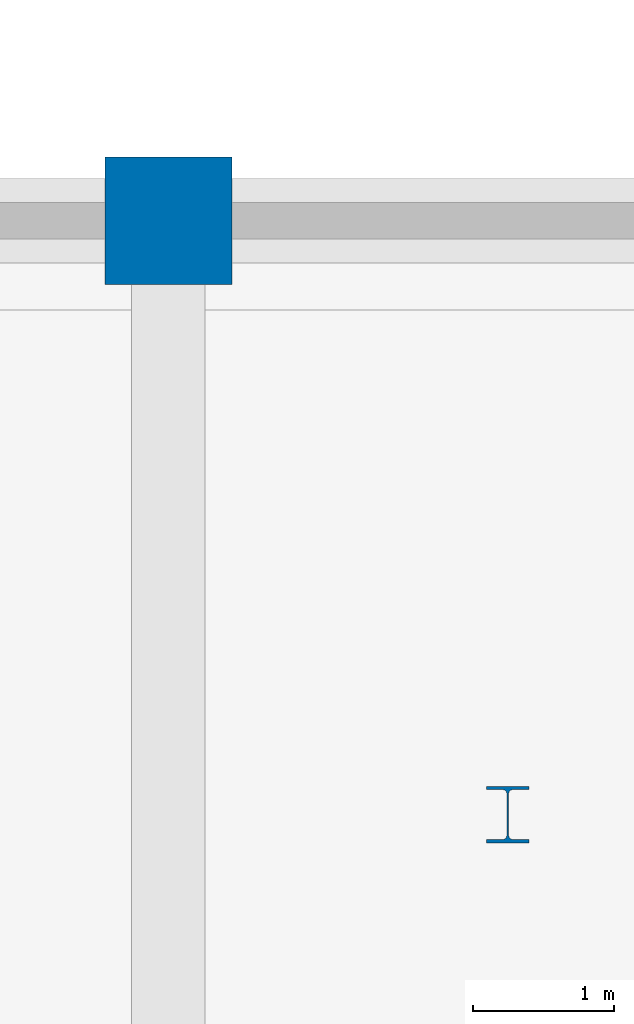
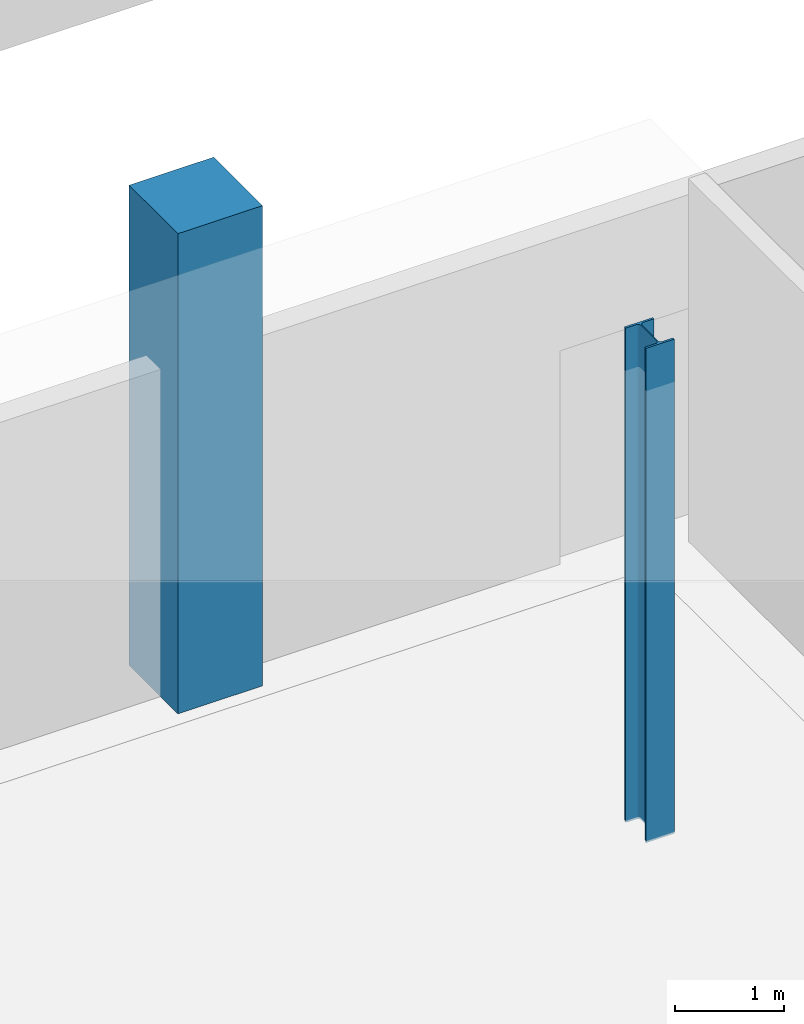
# One storey, part 15 of 124: 2 columns.
"""IFC4 building model written with IfcOpenShell, lengths in metres."""

from ifc_helpers import new_model, si_unit, direction, frame, origin, origin_2d, place, context, subcontext, project, spatial, rectangle, i_section, extrude, material, material_profile, profile_set, type_object, element, save


model = new_model("IFC4")

# Units and contexts
model_context = context("Model", 3, precision=1e-05, world=origin(), true_north=direction((0.0, 1.0)))
body_context = subcontext(model_context, "Body", "Model", "MODEL_VIEW")
ifc_project = project(units=[si_unit("LENGTHUNIT", "METRE"), si_unit("AREAUNIT", "SQUARE_METRE"), si_unit("VOLUMEUNIT", "CUBIC_METRE"), si_unit("PLANEANGLEUNIT", "RADIAN"), si_unit("MASSUNIT", "GRAM", prefix="KILO")], contexts=[model_context])

# Site, building, storey
site_placement = place(None, origin())
site = spatial("IfcSite", under=ifc_project, at=site_placement, CompositionType="ELEMENT")
building_placement = place(site_placement, origin())
building = spatial("IfcBuilding", under=site, at=building_placement, Name="Brelvane Convention Centre", CompositionType="ELEMENT")
storey_placement = place(building_placement, origin())
storey = spatial("IfcBuildingStorey", under=building, at=storey_placement, Name="L00", CompositionType="ELEMENT", Elevation=0.0)

# Columns
ifc_material_1 = material(Name="Concrete M50", Category="concrete")
ifc_material_profile_1 = material_profile(ifc_material_1, rectangle(XDim=0.89990234375, YDim=0.89990234375, at=origin_2d()), Name="RC 900x900")
ifc_profile_set_1 = profile_set([ifc_material_profile_1], Name="Concrete M50")
column_type_1 = type_object("IfcColumnType", Name="RC Column C-RC2 (RC 900x900)", PredefinedType="COLUMN", material=ifc_profile_set_1)
column_1_placement = place(storey_placement, frame((183.60009765625, 87.800048828125, 0.0), z_axis=(0.0, 0.0, 1.0), x_axis=(1.0, 0.0, 0.0)))
element("IfcColumn", 1, at=column_1_placement, inside=storey, type_object=column_type_1, Name="Column 19-J (L00)", PredefinedType="COLUMN", context=body_context, shape_type="SweptSolid", body=[
    extrude(rectangle(XDim=0.89990234375, YDim=0.89990234375, at=origin_2d()), origin(), (0.0, 0.0, 1.0), 5.39990234375),
])
ifc_material_2 = material(Name="Steel E350 (350 MPa)", Category="steel")
ifc_material_profile_2 = material_profile(ifc_material_2, i_section(OverallWidth=0.300048828125, OverallDepth=0.39990234375, WebThickness=0.013427734375, FlangeThickness=0.02392578125, FilletRadius=0.027099609375, at=origin_2d()), Name="WPB 400x300")
ifc_profile_set_2 = profile_set([ifc_material_profile_2], Name="Steel E350 (350 MPa)")
column_type_2 = type_object("IfcColumnType", Name="Steel Column C-ST7 (WPB 400x300)", PredefinedType="COLUMN", material=ifc_profile_set_2)
column_2_placement = place(storey_placement, frame((186.0, 83.60009765625, 0.0), z_axis=(0.0, 0.0, 1.0), x_axis=(1.0, 0.0, 0.0)))
element("IfcColumn", 2, at=column_2_placement, inside=storey, type_object=column_type_2, Name="Plenary Bowl Edge Column L00 L1-Y83", PredefinedType="COLUMN", context=body_context, shape_type="SweptSolid", body=[
    extrude(i_section(OverallWidth=0.300048828125, OverallDepth=0.39990234375, WebThickness=0.013427734375, FlangeThickness=0.02392578125, FilletRadius=0.027099609375, at=origin_2d()), origin(), (0.0, 0.0, 1.0), 5.56005859375),
])

save(model, "model.ifc")
